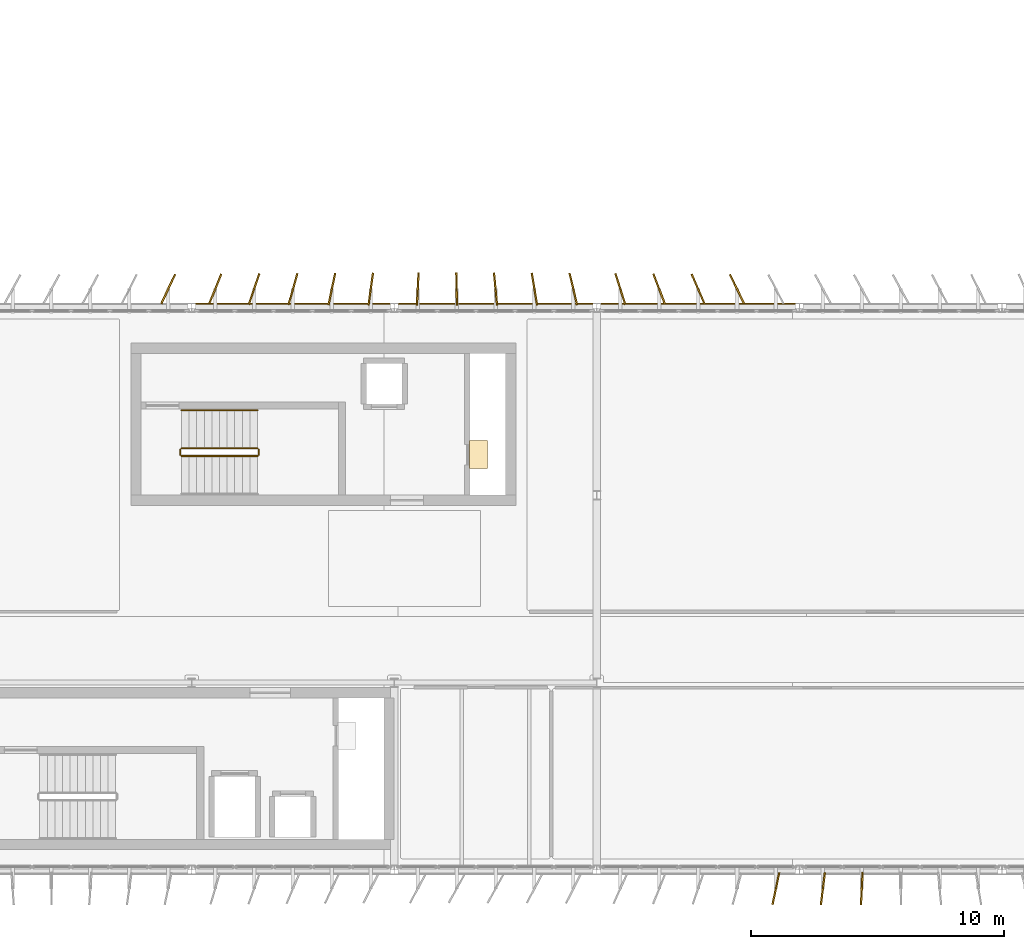
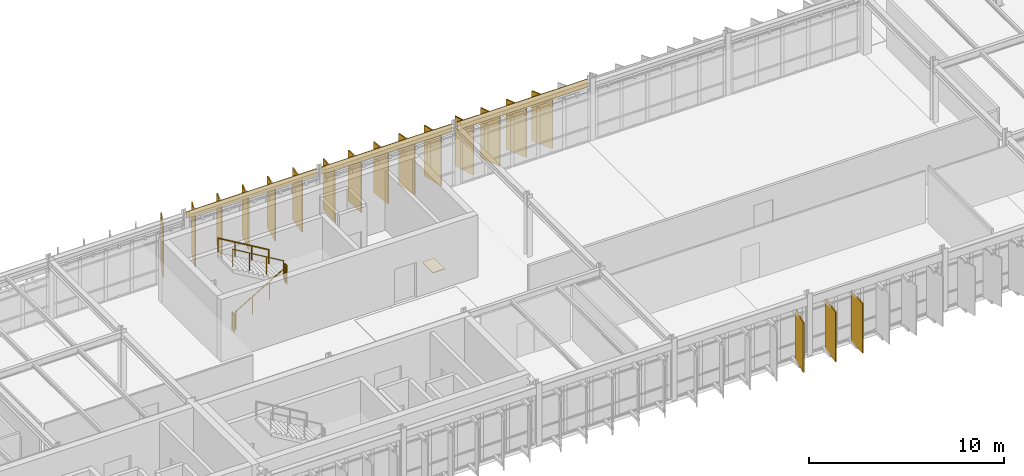
# One storey, part 42 of 45: 22 coverings, 5 railings.
"""IFC4 building model written with IfcOpenShell, lengths in metres."""

from ifc_helpers import new_model, si_unit, direction, frame, frame_2d, origin, origin_2d, place, context, subcontext, project, spatial, polyline, rectangle, circle, outline, extrude, material, layer, layer_set, type_object, element, save


model = new_model("IFC4")

# Units and contexts
model_context = context("Model", 3, precision=1e-05, world=origin(), true_north=direction((0.0, 1.0)))
body_context = subcontext(model_context, "Body", "Model", "MODEL_VIEW")
ifc_project = project(units=[si_unit("LENGTHUNIT", "METRE"), si_unit("AREAUNIT", "SQUARE_METRE"), si_unit("VOLUMEUNIT", "CUBIC_METRE"), si_unit("PLANEANGLEUNIT", "RADIAN"), si_unit("MASSUNIT", "GRAM", prefix="KILO")], contexts=[model_context])

# Site, building, storey
site_placement = place(None, origin())
site = spatial("IfcSite", under=ifc_project, at=site_placement, CompositionType="ELEMENT")
building_placement = place(site_placement, origin())
building = spatial("IfcBuilding", under=site, at=building_placement, Name="Valkorina Park Police Headquarters", CompositionType="ELEMENT")
storey_placement = place(building_placement, frame((0.0, 0.0, 23.300048828125)))
storey = spatial("IfcBuildingStorey", under=building, at=storey_placement, Name="L06", CompositionType="ELEMENT", Elevation=23.300048828125)

# Coverings
ifc_material_1 = material(Name="Precast concrete C40/50", Category="concrete")
ifc_layer_1 = layer(ifc_material_1, 0.044921875)
ifc_layer_set_1 = layer_set([ifc_layer_1], Name="Precast concrete C40/50")
covering_type_1 = type_object("IfcCoveringType", Name="COV-CLAD-DOLOMITE", PredefinedType="CLADDING", material=ifc_layer_set_1)
covering_1_placement = place(storey_placement, frame((40.9599609375, 59.360107421875, 3.280029296875), z_axis=(0.0, 0.0, 1.0), x_axis=(1.0, 0.0, 0.0)))
element("IfcCovering", 1, at=covering_1_placement, inside=storey, type_object=covering_type_1, Name="L06 Spandrel Beam Insulated Fascia 2482", PredefinedType="CLADDING", context=body_context, shape_type="SweptSolid", body=[
    extrude(rectangle(XDim=7.679931640625, YDim=0.044921875, at=frame_2d((3.83984375, 0.0))), origin(), (0.0, 0.0, 1.0), 0.39990234375),
])
covering_2_placement = place(storey_placement, frame((48.9599609375, 59.360107421875, 3.219970703125), z_axis=(0.0, 0.0, 1.0), x_axis=(1.0, 0.0, 0.0)))
element("IfcCovering", 2, at=covering_2_placement, inside=storey, type_object=covering_type_1, Name="L06 Spandrel Beam Insulated Fascia 2483", PredefinedType="CLADDING", context=body_context, shape_type="SweptSolid", body=[
    extrude(rectangle(XDim=7.679931640625, YDim=0.044921875, at=frame_2d((3.83984375, 0.0))), origin(), (0.0, 0.0, 1.0), 0.4599609375),
])
covering_3_placement = place(storey_placement, frame((56.9599609375, 59.360107421875, 3.169921875), z_axis=(0.0, 0.0, 1.0), x_axis=(1.0, 0.0, 0.0)))
element("IfcCovering", 3, at=covering_3_placement, inside=storey, type_object=covering_type_1, Name="L06 Spandrel Beam Insulated Fascia 2484", PredefinedType="CLADDING", context=body_context, shape_type="SweptSolid", body=[
    extrude(rectangle(XDim=7.679931640625, YDim=0.044921875, at=frame_2d((3.83984375, 0.0))), origin(), (0.0, 0.0, 1.0), 0.510009765625),
])
ifc_material_2 = material(Name="Resin terrazzo flooring")
ifc_layer_2 = layer(ifc_material_2, 0.030029296875)
ifc_layer_set_2 = layer_set([ifc_layer_2], Name="Resin terrazzo flooring")
covering_type_2 = type_object("IfcCoveringType", Name="COV-FLOOR-TERRAZZO", PredefinedType="FLOORING", material=ifc_layer_set_2)
covering_4_placement = place(storey_placement, origin())
element("IfcCovering", 4, at=covering_4_placement, inside=storey, type_object=covering_type_2, Name="Core C3 L06 Riser Inspection Threshold Grate", PredefinedType="FLOORING", context=body_context, shape_type="SweptSolid", body=[
    extrude(outline(polyline([(52.47998046875, 52.85009765625), (52.47998046875, 53.949951171875), (51.780029296875, 53.949951171875), (51.780029296875, 52.85009765625), (52.47998046875, 52.85009765625)])), origin(), (0.0, 0.0, 1.0), 0.030029296875),
])

# Railings
ifc_material_3 = material(Name="Stainless steel EN 1.4404", Category="steel")
railing_type_1 = type_object("IfcRailingType", Name="RL-GUARD-INT-1100", PredefinedType="BALUSTRADE", material=ifc_material_3)
railing_1_placement = place(storey_placement, frame((40.39990234375, 53.35009765625, 0.17724609375)))
element("IfcRailing", 5, at=railing_1_placement, inside=storey, type_object=railing_type_1, Name="L06 Core C3 Stair Guard 1", PredefinedType="BALUSTRADE", context=body_context, shape_type="SweptSolid", body=[
    extrude(circle(Radius=0.02392578125, at=origin_2d()), frame((0.0, 0.0, 1.09619140625), z_axis=(0.86092931783, 0.0, 0.508724591208), x_axis=(0.0, 1.0, 0.0)), (0.0, 0.0, 1.0), 3.484619140625),
    extrude(circle(Radius=0.02099609375, at=origin_2d()), origin(), (0.0, 0.0, 1.0), 1.072021484375),
    extrude(circle(Radius=0.02099609375, at=origin_2d()), frame((1.0, 0.0, 0.5908203125)), (0.0, 0.0, 1.0), 1.072021484375),
    extrude(circle(Radius=0.02099609375, at=origin_2d()), frame((2.0, 0.0, 1.181884765625)), (0.0, 0.0, 1.0), 1.072021484375),
    extrude(circle(Radius=0.02099609375, at=origin_2d()), frame((3.0, 0.0, 1.772705078125)), (0.0, 0.0, 1.0), 1.072021484375),
])
railing_2_placement = place(storey_placement, frame((43.449951171875, 53.39990234375, 1.949951171875)))
element("IfcRailing", 6, at=railing_2_placement, inside=storey, type_object=railing_type_1, Name="L06 Core C3 Stair Guard 2", PredefinedType="BALUSTRADE", context=body_context, shape_type="SweptSolid", body=[
    extrude(circle(Radius=0.02392578125, at=origin_2d()), frame((0.0, 0.0, 1.09619140625), z_axis=(0.0, 1.0, 0.0), x_axis=(-1.0, 0.0, 0.0)), (0.0, 0.0, 1.0), 0.2001953125),
    extrude(circle(Radius=0.02099609375, at=origin_2d()), origin(), (0.0, 0.0, 1.0), 1.072021484375),
    extrude(circle(Radius=0.02099609375, at=origin_2d()), frame((0.0, 0.2001953125, 0.0)), (0.0, 0.0, 1.0), 1.072021484375),
])
railing_3_placement = place(storey_placement, frame((43.39990234375, 53.64990234375, 2.127197265625)))
element("IfcRailing", 7, at=railing_3_placement, inside=storey, type_object=railing_type_1, Name="L06 Core C3 Stair Guard 3", PredefinedType="BALUSTRADE", context=body_context, shape_type="SweptSolid", body=[
    extrude(circle(Radius=0.02392578125, at=origin_2d()), frame((0.0, 0.0, 1.09619140625), z_axis=(-0.86092931783, 0.0, 0.508724591208), x_axis=(0.0, -1.0, 0.0)), (0.0, 0.0, 1.0), 3.484619140625),
    extrude(circle(Radius=0.02099609375, at=origin_2d()), origin(), (0.0, 0.0, 1.0), 1.072021484375),
    extrude(circle(Radius=0.02099609375, at=origin_2d()), frame((-1.0, 0.0, 0.5908203125)), (0.0, 0.0, 1.0), 1.072021484375),
    extrude(circle(Radius=0.02099609375, at=origin_2d()), frame((-2.0, 0.0, 1.181884765625)), (0.0, 0.0, 1.0), 1.072021484375),
    extrude(circle(Radius=0.02099609375, at=origin_2d()), frame((-3.0, 0.0, 1.772705078125)), (0.0, 0.0, 1.0), 1.072021484375),
])
railing_4_placement = place(storey_placement, frame((40.35009765625, 53.39990234375, 0.0)))
element("IfcRailing", 8, at=railing_4_placement, inside=storey, type_object=railing_type_1, Name="L06 Core C3 Stair Guard 4", PredefinedType="BALUSTRADE", context=body_context, shape_type="SweptSolid", body=[
    extrude(circle(Radius=0.02392578125, at=origin_2d()), frame((0.0, 0.0, 1.09619140625), z_axis=(0.0, 1.0, 0.0), x_axis=(-1.0, 0.0, 0.0)), (0.0, 0.0, 1.0), 0.2001953125),
    extrude(circle(Radius=0.02099609375, at=origin_2d()), origin(), (0.0, 0.0, 1.0), 1.072021484375),
    extrude(circle(Radius=0.02099609375, at=origin_2d()), frame((0.0, 0.2001953125, 0.0)), (0.0, 0.0, 1.0), 1.072021484375),
])
railing_type_2 = type_object("IfcRailingType", Name="RL-HANDRAIL-900", PredefinedType="HANDRAIL", material=ifc_material_3)
railing_5_placement = place(storey_placement, frame((43.39990234375, 55.14990234375, 2.127197265625)))
element("IfcRailing", 9, at=railing_5_placement, inside=storey, type_object=railing_type_2, Name="L06 Core C3 Stair Handrail 2", PredefinedType="HANDRAIL", context=body_context, shape_type="SweptSolid", body=[
    extrude(circle(Radius=0.02392578125, at=origin_2d()), frame((0.0, 0.0, 0.8759765625), z_axis=(-0.86092931783, 0.0, 0.508724591208), x_axis=(0.0, -1.0, 0.0)), (0.0, 0.0, 1.0), 3.484619140625),
    extrude(circle(Radius=0.02099609375, at=origin_2d()), origin(), (0.0, 0.0, 1.0), 0.851806640625),
    extrude(circle(Radius=0.02099609375, at=origin_2d()), frame((-1.0, 0.0, 0.5908203125)), (0.0, 0.0, 1.0), 0.851806640625),
    extrude(circle(Radius=0.02099609375, at=origin_2d()), frame((-2.0, 0.0, 1.181884765625)), (0.0, 0.0, 1.0), 0.851806640625),
    extrude(circle(Radius=0.02099609375, at=origin_2d()), frame((-3.0, 0.0, 1.772705078125)), (0.0, 0.0, 1.0), 0.851806640625),
])

# Coverings
ifc_material_4 = material(Name="Polychrome anodized aluminium - Baltic Amber", Category="aluminium")
ifc_layer_3 = layer(ifc_material_4, 0.06494140625)
ifc_layer_set_3 = layer_set([ifc_layer_3], Name="Polychrome anodized aluminium - Baltic Amber")
covering_type_3 = type_object("IfcCoveringType", Name="SHD-LOUVRE-AMBER", PredefinedType="CLADDING", material=ifc_layer_set_3)
covering_5_placement = place(storey_placement, frame((39.8720703125, 59.93994140625, 0.0400390625), z_axis=(0.0, 0.0, 1.0), x_axis=(0.422460074755, 0.906381534034, 0.0)))
element("IfcCovering", 10, at=covering_5_placement, inside=storey, type_object=covering_type_3, Name="V5 Polychrome Pivoting Louvre 0350", PredefinedType="CLADDING", context=body_context, shape_type="SweptSolid", body=[
    extrude(rectangle(XDim=1.280029296875, YDim=0.06494140625, at=origin_2d()), origin(), (0.0, 0.0, 1.0), 3.159912109375),
])
covering_6_placement = place(storey_placement, frame((46.3359375, 59.93994140625, 0.0400390625), z_axis=(0.0, 0.0, 1.0), x_axis=(0.206887263232, 0.978364788978, 0.0)))
element("IfcCovering", 11, at=covering_6_placement, inside=storey, type_object=covering_type_3, Name="V5 Polychrome Pivoting Louvre 0354", PredefinedType="CLADDING", context=body_context, shape_type="SweptSolid", body=[
    extrude(rectangle(XDim=1.280029296875, YDim=0.06494140625, at=origin_2d()), origin(), (0.0, 0.0, 1.0), 3.219970703125),
])
covering_7_placement = place(storey_placement, frame((52.800048828125, 59.93994140625, 0.0400390625), z_axis=(0.0, 0.0, 1.0), x_axis=(-0.095324551175, 0.995446246637, 0.0)))
element("IfcCovering", 12, at=covering_7_placement, inside=storey, type_object=covering_type_3, Name="V5 Polychrome Pivoting Louvre 0358", PredefinedType="CLADDING", context=body_context, shape_type="SweptSolid", body=[
    extrude(rectangle(XDim=1.280029296875, YDim=0.06494140625, at=origin_2d()), origin(), (0.0, 0.0, 1.0), 3.159912109375),
])
for number, where, z_axis, x_axis, name in (
    (13, (59.263916015625, 59.93994140625, 0.0400390625), (0.0, 0.0, 1.0), (-0.356411878713, 0.934328942457, 0.0), "V5 Polychrome Pivoting Louvre 0362"),
    (14, (65.72802734375, 36.260009765625, 0.0400390625), (0.0, 0.0, 1.0), (-0.12360147674, -0.992331937885, 0.0), "V5 Polychrome Pivoting Louvre 0420"),
):
    element("IfcCovering", number, at=place(storey_placement, frame(where, z_axis=z_axis, x_axis=x_axis)), inside=storey, type_object=covering_type_3, Name=name, PredefinedType="CLADDING", context=body_context, shape_type="SweptSolid", body=[
        extrude(rectangle(XDim=1.280029296875, YDim=0.06494140625, at=origin_2d()), origin(), (0.0, 0.0, 1.0), 3.110107421875),
    ])
ifc_material_5 = material(Name="Polychrome anodized aluminium - Riga Ochre", Category="aluminium")
ifc_layer_4 = layer(ifc_material_5, 0.06494140625)
ifc_layer_set_4 = layer_set([ifc_layer_4], Name="Polychrome anodized aluminium - Riga Ochre")
covering_type_4 = type_object("IfcCoveringType", Name="SHD-LOUVRE-OCHRE", PredefinedType="CLADDING", material=ifc_layer_set_4)
covering_8_placement = place(storey_placement, frame((43.263916015625, 59.93994140625, 0.0400390625), z_axis=(0.0, 0.0, 1.0), x_axis=(0.326228171556, 0.945291055751, 0.0)))
element("IfcCovering", 15, at=covering_8_placement, inside=storey, type_object=covering_type_4, Name="V5 Polychrome Pivoting Louvre 0352", PredefinedType="CLADDING", context=body_context, shape_type="SweptSolid", body=[
    extrude(rectangle(XDim=1.280029296875, YDim=0.06494140625, at=origin_2d()), origin(), (0.0, 0.0, 1.0), 3.219970703125),
])
for number, where, z_axis, x_axis, name in (
    (16, (49.72802734375, 59.93994140625, 0.0400390625), (0.0, 0.0, 1.0), (0.05163876861, 0.998665828782, 0.0), "V5 Polychrome Pivoting Louvre 0356"),
    (17, (55.8720703125, 59.93994140625, 0.0400390625), (0.0, 0.0, 1.0), (-0.232257215962, 0.97265440195, 0.0), "V5 Polychrome Pivoting Louvre 0360"),
):
    element("IfcCovering", number, at=place(storey_placement, frame(where, z_axis=z_axis, x_axis=x_axis)), inside=storey, type_object=covering_type_4, Name=name, PredefinedType="CLADDING", context=body_context, shape_type="SweptSolid", body=[
        extrude(rectangle(XDim=1.280029296875, YDim=0.06494140625, at=origin_2d()), origin(), (0.0, 0.0, 1.0), 3.159912109375),
    ])
covering_9_placement = place(storey_placement, frame((62.3359375, 59.93994140625, 0.0400390625), z_axis=(0.0, 0.0, 1.0), x_axis=(-0.435073957475, 0.900394719846, 0.0)))
element("IfcCovering", 18, at=covering_9_placement, inside=storey, type_object=covering_type_4, Name="V5 Polychrome Pivoting Louvre 0364", PredefinedType="CLADDING", context=body_context, shape_type="SweptSolid", body=[
    extrude(rectangle(XDim=1.280029296875, YDim=0.06494140625, at=origin_2d()), origin(), (0.0, 0.0, 1.0), 3.110107421875),
])
ifc_material_6 = material(Name="Polychrome anodized aluminium - Courland Slate Blue", Category="masonry")
ifc_layer_5 = layer(ifc_material_6, 0.06494140625)
ifc_layer_set_5 = layer_set([ifc_layer_5], Name="Polychrome anodized aluminium - Courland Slate Blue")
covering_type_5 = type_object("IfcCoveringType", Name="SHD-LOUVRE-SLATE", PredefinedType="CLADDING", material=ifc_layer_set_5)
covering_10_placement = place(storey_placement, frame((44.800048828125, 59.93994140625, 0.0400390625), z_axis=(0.0, 0.0, 1.0), x_axis=(0.26992829446, 0.962880426559, 0.0)))
element("IfcCovering", 19, at=covering_10_placement, inside=storey, type_object=covering_type_5, Name="V5 Polychrome Pivoting Louvre 0353", PredefinedType="CLADDING", context=body_context, shape_type="SweptSolid", body=[
    extrude(rectangle(XDim=1.280029296875, YDim=0.06494140625, at=origin_2d()), origin(), (0.0, 0.0, 1.0), 3.219970703125),
])
covering_11_placement = place(storey_placement, frame((51.263916015625, 59.93994140625, 0.0400390625), z_axis=(0.0, 0.0, 1.0), x_axis=(-0.022163866481, 0.99975435134, 0.0)))
element("IfcCovering", 20, at=covering_11_placement, inside=storey, type_object=covering_type_5, Name="V5 Polychrome Pivoting Louvre 0357", PredefinedType="CLADDING", context=body_context, shape_type="SweptSolid", body=[
    extrude(rectangle(XDim=1.280029296875, YDim=0.06494140625, at=origin_2d()), origin(), (0.0, 0.0, 1.0), 3.159912109375),
])
for number, where, z_axis, x_axis, name in (
    (21, (57.72802734375, 59.93994140625, 0.0400390625), (0.0, 0.0, 1.0), (-0.304531831612, 0.952502159334, 0.0), "V5 Polychrome Pivoting Louvre 0361"),
    (22, (67.263916015625, 36.260009765625, 0.0400390625), (0.0, 0.0, 1.0), (-0.05111586135, -0.998692729882, 0.0), "V5 Polychrome Pivoting Louvre 0419"),
):
    element("IfcCovering", number, at=place(storey_placement, frame(where, z_axis=z_axis, x_axis=x_axis)), inside=storey, type_object=covering_type_5, Name=name, PredefinedType="CLADDING", context=body_context, shape_type="SweptSolid", body=[
        extrude(rectangle(XDim=1.280029296875, YDim=0.06494140625, at=origin_2d()), origin(), (0.0, 0.0, 1.0), 3.110107421875),
    ])
ifc_material_7 = material(Name="Polychrome anodized aluminium - Pine Verdigris", Category="aluminium")
ifc_layer_6 = layer(ifc_material_7, 0.06494140625)
ifc_layer_set_6 = layer_set([ifc_layer_6], Name="Polychrome anodized aluminium - Pine Verdigris")
covering_type_6 = type_object("IfcCoveringType", Name="SHD-LOUVRE-VERDIGRIS", PredefinedType="CLADDING", material=ifc_layer_set_6)
for number, where, z_axis, x_axis, name in (
    (23, (41.72802734375, 59.93994140625, 0.0400390625), (0.0, 0.0, 1.0), (0.374930218808, 0.927053035713, 0.0), "V5 Polychrome Pivoting Louvre 0351"),
    (24, (47.8720703125, 59.93994140625, 0.0400390625), (0.0, 0.0, 1.0), (0.138654578758, 0.99034080386, 0.0), "V5 Polychrome Pivoting Louvre 0355"),
):
    element("IfcCovering", number, at=place(storey_placement, frame(where, z_axis=z_axis, x_axis=x_axis)), inside=storey, type_object=covering_type_6, Name=name, PredefinedType="CLADDING", context=body_context, shape_type="SweptSolid", body=[
        extrude(rectangle(XDim=1.280029296875, YDim=0.06494140625, at=origin_2d()), origin(), (0.0, 0.0, 1.0), 3.219970703125),
    ])
covering_12_placement = place(storey_placement, frame((54.3359375, 59.93994140625, 0.0400390625), z_axis=(0.0, 0.0, 1.0), x_axis=(-0.165908239462, 0.986141194799, 0.0)))
element("IfcCovering", 25, at=covering_12_placement, inside=storey, type_object=covering_type_6, Name="V5 Polychrome Pivoting Louvre 0359", PredefinedType="CLADDING", context=body_context, shape_type="SweptSolid", body=[
    extrude(rectangle(XDim=1.280029296875, YDim=0.06494140625, at=origin_2d()), origin(), (0.0, 0.0, 1.0), 3.159912109375),
])
for number, where, z_axis, x_axis, name in (
    (26, (60.800048828125, 59.93994140625, 0.0400390625), (0.0, 0.0, 1.0), (-0.400029137237, 0.916502421907, 0.0), "V5 Polychrome Pivoting Louvre 0363"),
    (27, (63.8720703125, 36.260009765625, 0.0400390625), (0.0, 0.0, 1.0), (-0.206545736898, -0.97843694665, 0.0), "V5 Polychrome Pivoting Louvre 0421"),
):
    element("IfcCovering", number, at=place(storey_placement, frame(where, z_axis=z_axis, x_axis=x_axis)), inside=storey, type_object=covering_type_6, Name=name, PredefinedType="CLADDING", context=body_context, shape_type="SweptSolid", body=[
        extrude(rectangle(XDim=1.280029296875, YDim=0.06494140625, at=origin_2d()), origin(), (0.0, 0.0, 1.0), 3.110107421875),
    ])

save(model, "model.ifc")
